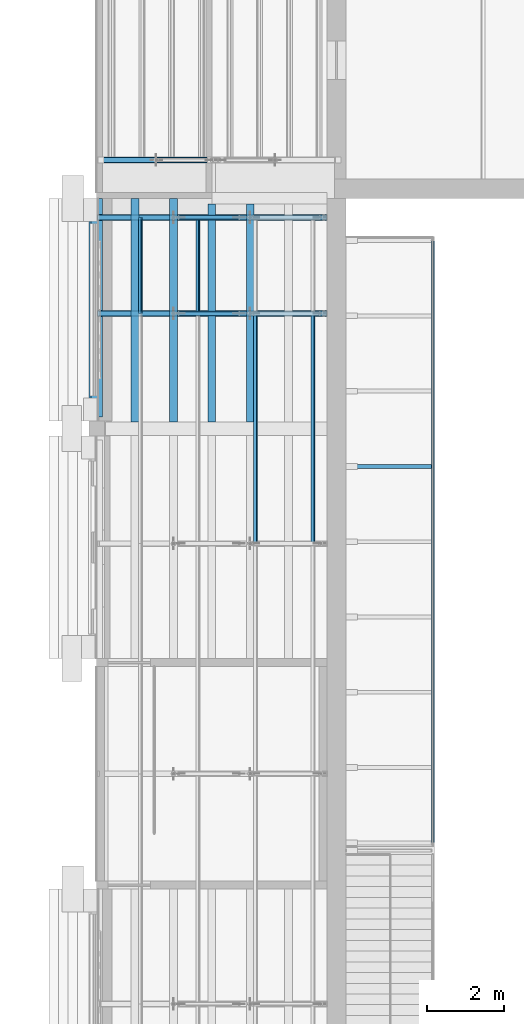
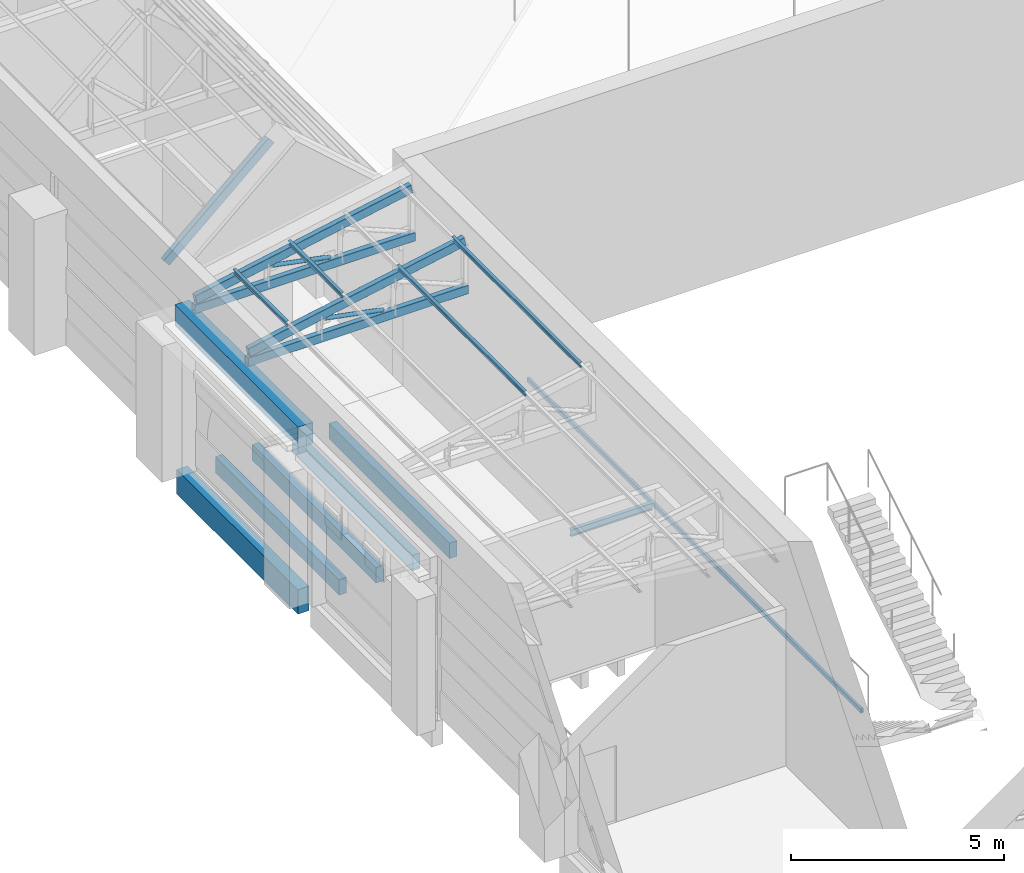
# One storey, part 27 of 118: 11 members, 8 beams.
"""IFC4 building model written with IfcOpenShell, lengths in metres."""

from ifc_helpers import new_model, si_unit, direction, frame, origin, origin_2d, place, context, subcontext, project, spatial, rectangle, hollow_rectangle, hollow_circle, i_section, extrude, material, material_profile, profile_set, type_object, element, save


model = new_model("IFC4")

# Units and contexts
model_context = context("Model", 3, precision=1e-05, world=origin(), true_north=direction((0.0, 1.0)))
body_context = subcontext(model_context, "Body", "Model", "MODEL_VIEW")
ifc_project = project(units=[si_unit("LENGTHUNIT", "METRE"), si_unit("AREAUNIT", "SQUARE_METRE"), si_unit("VOLUMEUNIT", "CUBIC_METRE"), si_unit("PLANEANGLEUNIT", "RADIAN"), si_unit("MASSUNIT", "GRAM", prefix="KILO")], contexts=[model_context])

# Site, building, storey
site_placement = place(None, origin())
site = spatial("IfcSite", under=ifc_project, at=site_placement, CompositionType="ELEMENT")
building_placement = place(site_placement, origin())
building = spatial("IfcBuilding", under=site, at=building_placement, Name="Saffron Lane Theatres", CompositionType="ELEMENT")
storey_placement = place(building_placement, frame((0.0, 0.0, 16.5)))
storey = spatial("IfcBuildingStorey", under=building, at=storey_placement, Name="L03", CompositionType="ELEMENT", Elevation=16.5)

# Beams
ifc_material_1 = material(Name="Concrete N40 (40 MPa)", Category="concrete")
ifc_material_profile_1 = material_profile(ifc_material_1, rectangle(XDim=0.300048828125, YDim=0.699951171875, at=origin_2d()))
ifc_profile_set_1 = profile_set([ifc_material_profile_1], Name="Concrete N40 (40 MPa)")
beam_type_1 = type_object("IfcBeamType", Name="RC-BEAM 300x700", PredefinedType="BEAM", material=ifc_profile_set_1)
beam_1_placement = place(storey_placement, frame((12.0, 48.300048828125, -0.60009765625), z_axis=(0.0, 1.0, 0.0), x_axis=(-1.0, 0.0, 0.0)))
element("IfcBeam", 1, at=beam_1_placement, inside=storey, type_object=beam_type_1, Name="beam-L03-y120-483", PredefinedType="BEAM", context=body_context, shape_type="SweptSolid", body=[
    extrude(rectangle(XDim=0.300048828125, YDim=0.699951171875, at=origin_2d()), origin(), (0.0, 0.0, 1.0), 5.699951171875),
])
ifc_material_2 = material(Name="Concrete N40 (40 MPa)", Category="concrete")
ifc_material_profile_2 = material_profile(ifc_material_2, rectangle(XDim=0.39990234375, YDim=0.60009765625, at=origin_2d()))
ifc_profile_set_2 = profile_set([ifc_material_profile_2], Name="Concrete N40 (40 MPa)")
beam_type_2 = type_object("IfcBeamType", Name="RC-BEAM 400x600", PredefinedType="BEAM", material=ifc_profile_set_2)
beam_2_placement = place(storey_placement, frame((12.0, 48.199951171875, 4.199951171875), z_axis=(0.0, 1.0, 0.0), x_axis=(-1.0, 0.0, 0.0)))
element("IfcBeam", 2, at=beam_2_placement, inside=storey, type_object=beam_type_2, Name="beam-roof-side-y120-3", PredefinedType="BEAM", context=body_context, shape_type="SweptSolid", body=[
    extrude(rectangle(XDim=0.39990234375, YDim=0.60009765625, at=origin_2d()), origin(), (0.0, 0.0, 1.0), 5.800048828125),
])
ifc_material_3 = material(Name="Concrete N40 (40 MPa)", Category="concrete")
ifc_material_profile_3 = material_profile(ifc_material_3, rectangle(XDim=0.199951171875, YDim=0.449951171875, at=origin_2d()))
ifc_profile_set_3 = profile_set([ifc_material_profile_3], Name="Concrete N40 (40 MPa)")
beam_type_3 = type_object("IfcBeamType", Name="RC-JOIST 200x450", PredefinedType="JOIST", material=ifc_profile_set_3)
for number, where, z_axis, x_axis, name in (
    (3, (13.0, 48.175048828125, -0.47509765625), (0.0, 1.0, 0.0), (-1.0, 0.0, 0.0), "joist-L03-y1300-482"),
    (4, (14.0, 48.175048828125, -0.47509765625), (0.0, 1.0, 0.0), (-1.0, 0.0, 0.0), "joist-L03-y1400-482"),
):
    element("IfcBeam", number, at=place(storey_placement, frame(where, z_axis=z_axis, x_axis=x_axis)), inside=storey, type_object=beam_type_3, Name=name, PredefinedType="JOIST", context=body_context, shape_type="SweptSolid", body=[
        extrude(rectangle(XDim=0.199951171875, YDim=0.449951171875, at=origin_2d()), origin(), (0.0, 0.0, 1.0), 5.824951171875),
    ])
for number, where, z_axis, x_axis, name in (
    (5, (15.0, 48.175048828125, -0.47509765625), (0.0, 1.0, 0.0), (-1.0, 0.0, 0.0), "joist-L03-y1500-482"),
    (6, (16.0, 48.175048828125, -0.47509765625), (0.0, 1.0, 0.0), (-1.0, 0.0, 0.0), "joist-L03-y1600-482"),
):
    element("IfcBeam", number, at=place(storey_placement, frame(where, z_axis=z_axis, x_axis=x_axis)), inside=storey, type_object=beam_type_3, Name=name, PredefinedType="JOIST", context=body_context, shape_type="SweptSolid", body=[
        extrude(rectangle(XDim=0.199951171875, YDim=0.449951171875, at=origin_2d()), origin(), (0.0, 0.0, 1.0), 5.675048828125),
    ])
ifc_material_4 = material(Name="Steel Grade 350", Category="steel")
ifc_material_profile_4 = material_profile(ifc_material_4, i_section(OverallWidth=0.09912109375, OverallDepth=0.197998046875, WebThickness=0.00439453125, FlangeThickness=0.007080078125, FilletRadius=0.010986328125, at=origin_2d()))
ifc_profile_set_4 = profile_set([ifc_material_profile_4], Name="Steel Grade 350")
beam_type_4 = type_object("IfcBeamType", Name="ST-GALLERY BEAM 200UB18.2", PredefinedType="BEAM", material=ifc_profile_set_4)
beam_3_placement = place(storey_placement, frame((18.5, 47.012451171875, -0.14892578125), z_axis=(1.0, 0.0, 0.0), x_axis=(0.0, 1.0, 0.0)))
element("IfcBeam", 7, at=beam_3_placement, inside=storey, type_object=beam_type_4, Name="FBW16.5-7", PredefinedType="BEAM", context=body_context, shape_type="SweptSolid", body=[
    extrude(i_section(OverallWidth=0.09912109375, OverallDepth=0.197998046875, WebThickness=0.00439453125, FlangeThickness=0.007080078125, FilletRadius=0.010986328125, at=origin_2d()), origin(), (0.0, 0.0, 1.0), 2.22509765625),
])
ifc_material_5 = material(Name="Steel Grade 350", Category="steel")
ifc_material_profile_5 = material_profile(ifc_material_5, hollow_rectangle(XDim=0.074951171875, YDim=0.125, WallThickness=0.0048828125, InnerFilletRadius=0.00244140625, OuterFilletRadius=0.007568359375, at=origin_2d()))
ifc_profile_set_5 = profile_set([ifc_material_profile_5], Name="Steel Grade 350")
beam_type_5 = type_object("IfcBeamType", Name="ST-GALLERY EDGE 125x75x5 RHS", PredefinedType="BEAM", material=ifc_profile_set_5)
beam_4_placement = place(storey_placement, frame((20.762451171875, 37.199951171875, -0.112548828125), z_axis=(0.0, 1.0, 0.0), x_axis=(-1.0, 0.0, 0.0)))
element("IfcBeam", 8, at=beam_4_placement, inside=storey, type_object=beam_type_5, Name="FEW16.5", PredefinedType="BEAM", context=body_context, shape_type="SweptSolid", body=[
    extrude(hollow_rectangle(XDim=0.074951171875, YDim=0.125, WallThickness=0.0048828125, InnerFilletRadius=0.00244140625, OuterFilletRadius=0.007568359375, at=origin_2d()), origin(), (0.0, 0.0, 1.0), 15.699951171875),
])

# Members
ifc_material_6 = material(Name="Steel Grade 350", Category="steel")
ifc_material_profile_6 = material_profile(ifc_material_6, i_section(OverallWidth=0.074951171875, OverallDepth=0.155029296875, WebThickness=0.006103515625, FlangeThickness=0.009521484375, FilletRadius=0.008056640625, at=origin_2d()))
ifc_profile_set_6 = profile_set([ifc_material_profile_6], Name="Steel Grade 350")
member_type_1 = type_object("IfcMemberType", Name="ST-STUDIO PURLIN 150UB18.0", PredefinedType="PURLIN", material=ifc_profile_set_6)
for number, where, z_axis, x_axis, name in (
    (9, (13.137451171875, 51.0, 5.304443359375), (0.0, 1.0, 0.0), (-0.981660567439, 0.0, -0.190637169344), "SB3-U47"),
    (10, (14.637451171875, 51.0, 5.595947265625), (0.0, 1.0, 0.0), (-0.981660567439, 0.0, -0.190637169344), "SB3-U52"),
):
    element("IfcMember", number, at=place(storey_placement, frame(where, z_axis=z_axis, x_axis=x_axis)), inside=storey, type_object=member_type_1, Name=name, PredefinedType="PURLIN", context=body_context, shape_type="SweptSolid", body=[
        extrude(i_section(OverallWidth=0.074951171875, OverallDepth=0.155029296875, WebThickness=0.006103515625, FlangeThickness=0.009521484375, FilletRadius=0.008056640625, at=origin_2d()), origin(), (0.0, 0.0, 1.0), 2.5),
    ])
for number, where, z_axis, x_axis, name in (
    (11, (16.137451171875, 45.0, 5.88720703125), (0.0, 1.0, 0.0), (-0.981660567439, 0.0, -0.190637169344), "SB3-U56"),
    (12, (17.637451171875, 45.0, 6.178466796875), (0.0, 1.0, 0.0), (-0.981660567439, 0.0, -0.190637169344), "SB3-U61"),
):
    element("IfcMember", number, at=place(storey_placement, frame(where, z_axis=z_axis, x_axis=x_axis)), inside=storey, type_object=member_type_1, Name=name, PredefinedType="PURLIN", context=body_context, shape_type="SweptSolid", body=[
        extrude(i_section(OverallWidth=0.074951171875, OverallDepth=0.155029296875, WebThickness=0.006103515625, FlangeThickness=0.009521484375, FilletRadius=0.008056640625, at=origin_2d()), origin(), (0.0, 0.0, 1.0), 6.0),
    ])
ifc_material_7 = material(Name="Steel Grade 350", Category="steel")
ifc_material_profile_7 = material_profile(ifc_material_7, hollow_rectangle(XDim=0.14990234375, YDim=0.25, WallThickness=0.009033203125, InnerFilletRadius=0.00439453125, OuterFilletRadius=0.013427734375, at=origin_2d()))
ifc_profile_set_7 = profile_set([ifc_material_profile_7], Name="Steel Grade 350")
member_type_2 = type_object("IfcMemberType", Name="ST-STUDIO TRUSS CHORD 250x150x9 RHS", PredefinedType="CHORD", material=ifc_profile_set_7)
member_1_placement = place(storey_placement, frame((12.113037109375, 55.0, 5.01708984375), z_axis=(0.748231613734, 0.0, 0.663437602348), x_axis=(0.0, 1.0, 0.0)))
element("IfcMember", 13, at=member_1_placement, inside=storey, type_object=member_type_2, Name="SB1-C2", PredefinedType="CHORD", context=body_context, shape_type="SweptSolid", body=[
    extrude(hollow_rectangle(XDim=0.14990234375, YDim=0.25, WallThickness=0.009033203125, InnerFilletRadius=0.00439453125, OuterFilletRadius=0.013427734375, at=origin_2d()), origin(), (0.0, 0.0, 1.0), 3.797607421875),
])
member_2_placement = place(storey_placement, frame((12.02001953125, 51.0, 4.625), z_axis=(1.0, 0.0, 0.0), x_axis=(0.0, 1.0, 0.0)))
element("IfcMember", 14, at=member_2_placement, inside=storey, type_object=member_type_2, Name="SB3-T29", PredefinedType="CHORD", context=body_context, shape_type="SweptSolid", body=[
    extrude(hollow_rectangle(XDim=0.14990234375, YDim=0.25, WallThickness=0.009033203125, InnerFilletRadius=0.00439453125, OuterFilletRadius=0.013427734375, at=origin_2d()), origin(), (0.0, 0.0, 1.0), 5.97998046875),
])
member_3_placement = place(storey_placement, frame((12.0537109375, 51.0, 4.8876953125), z_axis=(0.981654109324, 0.0, 0.190670421534), x_axis=(0.0, 1.0, 0.0)))
element("IfcMember", 15, at=member_3_placement, inside=storey, type_object=member_type_2, Name="SB3-C30", PredefinedType="CHORD", context=body_context, shape_type="SweptSolid", body=[
    extrude(hollow_rectangle(XDim=0.14990234375, YDim=0.25, WallThickness=0.009033203125, InnerFilletRadius=0.00439453125, OuterFilletRadius=0.013427734375, at=origin_2d()), origin(), (0.0, 0.0, 1.0), 5.969482421875),
])
member_4_placement = place(storey_placement, frame((12.02001953125, 53.5, 4.625), z_axis=(1.0, 0.0, 0.0), x_axis=(0.0, 1.0, 0.0)))
element("IfcMember", 16, at=member_4_placement, inside=storey, type_object=member_type_2, Name="SB3-T36", PredefinedType="CHORD", context=body_context, shape_type="SweptSolid", body=[
    extrude(hollow_rectangle(XDim=0.14990234375, YDim=0.25, WallThickness=0.009033203125, InnerFilletRadius=0.00439453125, OuterFilletRadius=0.013427734375, at=origin_2d()), origin(), (0.0, 0.0, 1.0), 5.97998046875),
])
member_5_placement = place(storey_placement, frame((12.0537109375, 53.5, 4.8876953125), z_axis=(0.981654109324, 0.0, 0.190670421534), x_axis=(0.0, 1.0, 0.0)))
element("IfcMember", 17, at=member_5_placement, inside=storey, type_object=member_type_2, Name="SB3-C37", PredefinedType="CHORD", context=body_context, shape_type="SweptSolid", body=[
    extrude(hollow_rectangle(XDim=0.14990234375, YDim=0.25, WallThickness=0.009033203125, InnerFilletRadius=0.00439453125, OuterFilletRadius=0.013427734375, at=origin_2d()), origin(), (0.0, 0.0, 1.0), 5.969482421875),
])
ifc_material_8 = material(Name="Steel Grade 350", Category="steel")
ifc_material_profile_8 = material_profile(ifc_material_8, hollow_circle(Radius=0.05712890625, WallThickness=0.006103515625, at=origin_2d()))
ifc_profile_set_8 = profile_set([ifc_material_profile_8], Name="Steel Grade 350")
member_type_3 = type_object("IfcMemberType", Name="ST-STUDIO TRUSS WEB 114.3x6.0 CHS", PredefinedType="BRACE", material=ifc_profile_set_8)
for number, where, z_axis, x_axis, name in (
    (18, (15.711181640625, 51.0, 4.80615234375), (-0.981678802594, 0.0, 0.190543245845), (0.0, -1.0, 0.0), "SB3-W35"),
    (19, (15.711181640625, 53.5, 4.80615234375), (-0.981678802594, 0.0, 0.190543245845), (0.0, -1.0, 0.0), "SB3-W42"),
):
    element("IfcMember", number, at=place(storey_placement, frame(where, z_axis=z_axis, x_axis=x_axis)), inside=storey, type_object=member_type_3, Name=name, PredefinedType="BRACE", context=body_context, shape_type="SweptSolid", body=[
        extrude(hollow_circle(Radius=0.05712890625, WallThickness=0.006103515625, at=origin_2d()), origin(), (0.0, 0.0, 1.0), 1.6015625),
    ])

save(model, "model.ifc")
